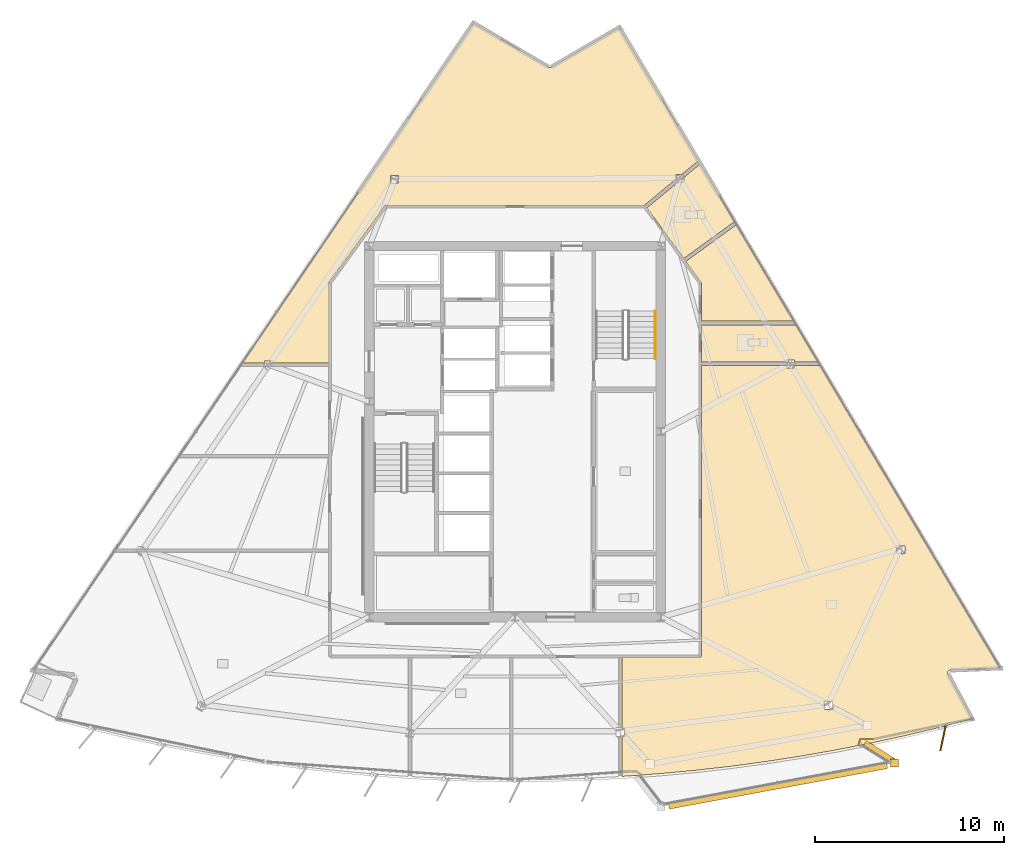
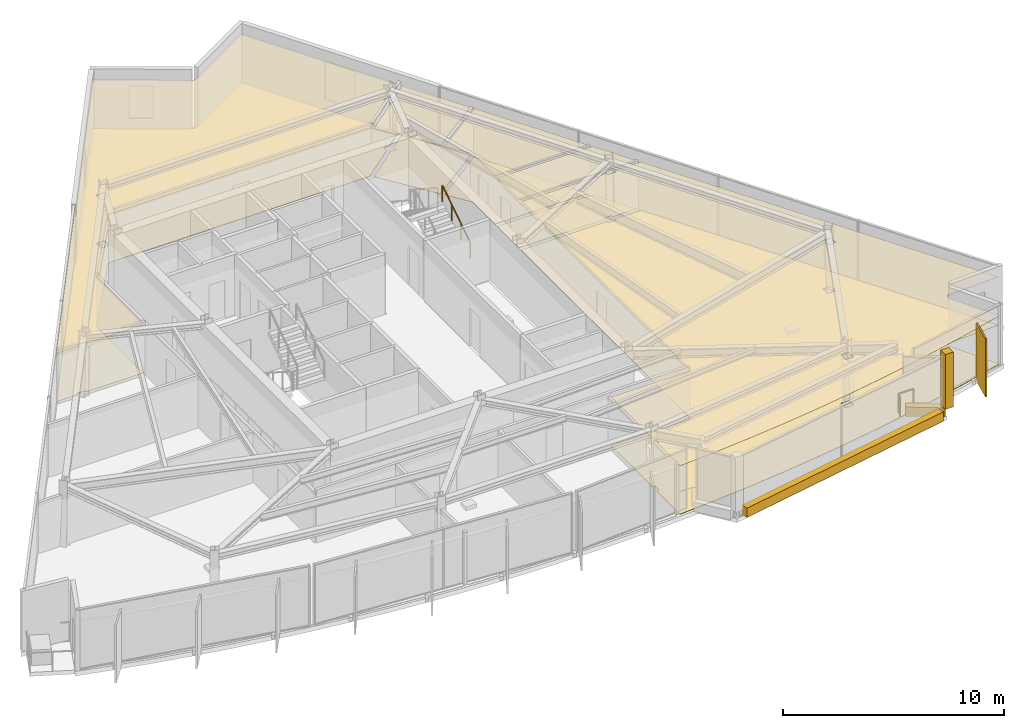
# One storey, part 12 of 13: 13 coverings, 2 railings, 1 shading device.
"""IFC4 building model written with IfcOpenShell, lengths in metres."""

from ifc_helpers import new_model, si_unit, direction, frame, origin, origin_2d, place, context, subcontext, project, spatial, polyline, rectangle, circle, outline, extrude, material, layer, layer_set, type_object, element, save


model = new_model("IFC4")

# Units and contexts
model_context = context("Model", 3, precision=1e-05, world=origin(), true_north=direction((0.0, 1.0)))
body_context = subcontext(model_context, "Body", "Model", "MODEL_VIEW")
ifc_project = project(units=[si_unit("LENGTHUNIT", "METRE"), si_unit("AREAUNIT", "SQUARE_METRE"), si_unit("VOLUMEUNIT", "CUBIC_METRE"), si_unit("PLANEANGLEUNIT", "RADIAN"), si_unit("MASSUNIT", "GRAM", prefix="KILO")], contexts=[model_context])

# Site, building, storey
site_placement = place(None, origin())
site = spatial("IfcSite", under=ifc_project, at=site_placement, CompositionType="ELEMENT")
building_placement = place(site_placement, origin())
building = spatial("IfcBuilding", under=site, at=building_placement, Name="Savorim Split Tower", CompositionType="ELEMENT")
storey_placement = place(building_placement, frame((0.0, 0.0, 216.300048828125)))
storey = spatial("IfcBuildingStorey", under=building, at=storey_placement, Name="L57", CompositionType="ELEMENT", Elevation=216.300048828125)

# Coverings
ifc_material_1 = material(Name="Mineral Fibre Acoustic Ceiling")
ifc_layer_1 = layer(ifc_material_1, 0.02490234375)
ifc_layer_set_1 = layer_set([ifc_layer_1], Name="COV-CEIL-25")
covering_type_1 = type_object("IfcCoveringType", Name="COV-CEIL-25", PredefinedType="CEILING", material=ifc_layer_set_1)
covering_1_placement = place(storey_placement, frame((0.0, 0.0, 2.669921875)))
element("IfcCovering", 1, at=covering_1_placement, inside=storey, type_object=covering_type_1, Name="L57 Community Laundry Room Acoustic Ceiling", PredefinedType="CEILING", context=body_context, shape_type="SweptSolid", body=[
    extrude(outline(polyline([(22.926513671875, -12.2060546875), (22.93798828125, -12.203857421875), (22.949462890625, -12.202880859375), (25.611083984375, -12.089599609375), (16.09765625, 3.909912109375), (16.09765625, 3.876708984375), (14.74951171875, 3.876708984375), (14.74951171875, 3.768310546875), (14.331298828125, 3.768310546875), (14.331298828125, 3.876708984375), (9.840087890625, 3.876708984375), (9.840087890625, -11.39990234375), (9.83935546875, -11.413818359375), (9.83740234375, -11.42724609375), (9.833984375, -11.440673828125), (9.829345703125, -11.45361328125), (9.823486328125, -11.466064453125), (9.81640625, -11.477783203125), (9.80810546875, -11.48876953125), (9.799072265625, -11.4990234375), (9.788818359375, -11.50830078125), (9.77783203125, -11.516357421875), (9.76611328125, -11.5234375), (9.753662109375, -11.529296875), (9.740478515625, -11.533935546875), (9.727294921875, -11.537353515625), (9.713623046875, -11.539306640625), (9.699951171875, -11.5400390625), (5.644775390625, -11.5400390625), (5.644775390625, -15.284912109375), (5.7587890625, -15.284912109375), (5.7587890625, -15.69189453125), (5.644775390625, -15.69189453125), (5.644775390625, -17.764404296875), (5.644775390625, -17.8095703125), (5.665771484375, -17.808349609375), (7.55078125, -17.673095703125), (9.4326171875, -17.49951171875), (11.310302734375, -17.287109375), (13.18359375, -17.03662109375), (15.051025390625, -16.74755859375), (16.912353515625, -16.420654296875), (18.7666015625, -16.055419921875), (20.61279296875, -15.652587890625), (22.450439453125, -15.2119140625), (24.132568359375, -14.772216796875), (22.848876953125, -12.37939453125), (22.84375, -12.368896484375), (22.83984375, -12.358154296875), (22.8369140625, -12.346923828125), (22.835205078125, -12.335693359375), (22.83447265625, -12.32421875), (22.8349609375, -12.3125), (22.83642578125, -12.301025390625), (22.839111328125, -12.289794921875), (22.8427734375, -12.27880859375), (22.847412109375, -12.268310546875), (22.853271484375, -12.25830078125), (22.85986328125, -12.248779296875), (22.867431640625, -12.240234375), (22.875732421875, -12.232177734375), (22.884765625, -12.22509765625), (22.89453125, -12.21875), (22.90478515625, -12.21337890625), (22.91552734375, -12.209228515625), (22.926513671875, -12.2060546875)]), holes=[polyline([(16.76806640625, -14.2783203125), (16.76806640625, -13.871337890625), (16.35009765625, -13.871337890625), (16.35009765625, -14.2783203125), (16.76806640625, -14.2783203125)]), polyline([(20.580810546875, -6.038818359375), (20.580810546875, -5.6318359375), (20.162841796875, -5.6318359375), (20.162841796875, -6.038818359375), (20.580810546875, -6.038818359375)])]), origin(), (0.0, 0.0, 1.0), 0.025146484375),
])
covering_2_placement = place(storey_placement, frame((0.0, 0.0, 2.669921875)))
element("IfcCovering", 2, at=covering_2_placement, inside=storey, type_object=covering_type_1, Name="L57 Shared Bathroom Acoustic Ceiling", PredefinedType="CEILING", context=body_context, shape_type="SweptSolid", body=[
    extrude(outline(polyline([(14.74951171875, 4.17529296875), (14.74951171875, 4.066650390625), (16.002685546875, 4.066650390625), (16.00439453125, 4.066650390625), (14.831787109375, 6.038330078125), (9.840087890625, 6.038330078125), (9.840087890625, 4.066650390625), (14.331298828125, 4.066650390625), (14.331298828125, 4.17529296875), (14.74951171875, 4.17529296875)])), origin(), (0.0, 0.0, 1.0), 0.025146484375),
])
covering_3_placement = place(storey_placement, frame((0.0, 0.0, 2.669921875)))
element("IfcCovering", 3, at=covering_3_placement, inside=storey, type_object=covering_type_1, Name="L57 Co-Living Bedroom Acoustic Ceiling", PredefinedType="CEILING", context=body_context, shape_type="SweptSolid", body=[
    extrude(outline(polyline([(9.8369140625, 8.22900390625), (9.839111328125, 8.214599609375), (9.840087890625, 8.199951171875), (9.840087890625, 6.228515625), (14.718994140625, 6.228515625), (11.688232421875, 11.3251953125), (9.01318359375, 9.385986328125), (9.813232421875, 8.2822265625), (9.8212890625, 8.27001953125), (9.827880859375, 8.2568359375), (9.833251953125, 8.2431640625), (9.8369140625, 8.22900390625)])), origin(), (0.0, 0.0, 1.0), 0.025146484375),
])
covering_4_placement = place(storey_placement, frame((0.0, 0.0, 2.669921875)))
element("IfcCovering", 4, at=covering_4_placement, inside=storey, type_object=covering_type_1, Name="L57 Shared Bathroom Acoustic Ceiling", PredefinedType="CEILING", context=body_context, shape_type="SweptSolid", body=[
    extrude(outline(polyline([(8.611328125, 13.5751953125), (6.96533203125, 12.218994140625), (6.96142578125, 12.2158203125), (8.901611328125, 9.539794921875), (11.5908203125, 11.4892578125), (9.7783203125, 14.537109375), (8.91796875, 13.827880859375), (8.91796875, 13.5751953125), (8.611328125, 13.5751953125)])), origin(), (0.0, 0.0, 1.0), 0.025146484375),
])
covering_5_placement = place(storey_placement, frame((0.0, 0.0, 2.669921875)))
element("IfcCovering", 5, at=covering_5_placement, inside=storey, type_object=covering_type_1, Name="L57 Co-Working Commons Acoustic Ceiling", PredefinedType="CEILING", context=body_context, shape_type="SweptSolid", body=[
    extrude(outline(polyline([(1.800537109375, 19.626708984375), (1.789794921875, 19.631103515625), (1.779541015625, 19.636474609375), (-2.197021484375, 21.9736328125), (-14.41162109375, 4.017822265625), (-13.240234375, 4.017822265625), (-13.240234375, 4.12646484375), (-12.822265625, 4.12646484375), (-12.822265625, 4.017822265625), (-9.840087890625, 4.017822265625), (-9.840087890625, 8.199951171875), (-9.839111328125, 8.214599609375), (-9.8369140625, 8.22900390625), (-9.833251953125, 8.2431640625), (-9.827880859375, 8.2568359375), (-9.8212890625, 8.27001953125), (-9.813232421875, 8.2822265625), (-6.913330078125, 12.2822265625), (-6.905029296875, 12.29248046875), (-6.89599609375, 12.302001953125), (-6.885986328125, 12.310546875), (-6.875, 12.318115234375), (-6.863525390625, 12.32470703125), (-6.8515625, 12.330078125), (-6.839111328125, 12.33447265625), (-6.826416015625, 12.33740234375), (-6.813232421875, 12.33935546875), (-6.800048828125, 12.340087890625), (6.800048828125, 12.340087890625), (6.812744140625, 12.33935546875), (8.5, 13.729736328125), (8.5, 13.982421875), (8.806396484375, 13.982421875), (9.6298828125, 14.660888671875), (9.68017578125, 14.702392578125), (5.499267578125, 21.7333984375), (1.90087890625, 19.63623046875), (1.890625, 19.631103515625), (1.8798828125, 19.626708984375), (1.868896484375, 19.623291015625), (1.857421875, 19.62109375), (1.845947265625, 19.6201171875), (1.83447265625, 19.6201171875), (1.822998046875, 19.621337890625), (1.8115234375, 19.62353515625), (1.800537109375, 19.626708984375)]), holes=[polyline([(-6.15087890625, 13.93359375), (-6.56884765625, 13.93359375), (-6.56884765625, 13.526611328125), (-6.15087890625, 13.526611328125), (-6.15087890625, 13.93359375)])]), origin(), (0.0, 0.0, 1.0), 0.025146484375),
])
ifc_material_2 = material(Name="Porcelain Stoneware Flooring", Category="masonry")
ifc_layer_2 = layer(ifc_material_2, 0.02001953125)
ifc_layer_set_2 = layer_set([ifc_layer_2], Name="COV-FLOR-20")
covering_type_2 = type_object("IfcCoveringType", Name="COV-FLOR-20", PredefinedType="FLOORING", material=ifc_layer_set_2)
covering_6_placement = place(storey_placement, origin())
element("IfcCovering", 6, at=covering_6_placement, inside=storey, type_object=covering_type_2, Name="L57 Community Laundry Room Porcelain Flooring", PredefinedType="FLOORING", context=body_context, shape_type="SweptSolid", body=[
    extrude(outline(polyline([(22.926513671875, -12.2060546875), (22.93798828125, -12.203857421875), (22.949462890625, -12.202880859375), (25.611083984375, -12.089599609375), (16.09765625, 3.909912109375), (16.09765625, 3.876708984375), (14.74951171875, 3.876708984375), (14.74951171875, 3.768310546875), (14.331298828125, 3.768310546875), (14.331298828125, 3.876708984375), (9.840087890625, 3.876708984375), (9.840087890625, -11.39990234375), (9.83935546875, -11.413818359375), (9.83740234375, -11.42724609375), (9.833984375, -11.440673828125), (9.829345703125, -11.45361328125), (9.823486328125, -11.466064453125), (9.81640625, -11.477783203125), (9.80810546875, -11.48876953125), (9.799072265625, -11.4990234375), (9.788818359375, -11.50830078125), (9.77783203125, -11.516357421875), (9.76611328125, -11.5234375), (9.753662109375, -11.529296875), (9.740478515625, -11.533935546875), (9.727294921875, -11.537353515625), (9.713623046875, -11.539306640625), (9.699951171875, -11.5400390625), (5.644775390625, -11.5400390625), (5.644775390625, -15.284912109375), (5.7587890625, -15.284912109375), (5.7587890625, -15.69189453125), (5.644775390625, -15.69189453125), (5.644775390625, -17.764404296875), (5.644775390625, -17.8095703125), (5.665771484375, -17.808349609375), (7.55078125, -17.673095703125), (9.4326171875, -17.49951171875), (11.310302734375, -17.287109375), (13.18359375, -17.03662109375), (15.051025390625, -16.74755859375), (16.912353515625, -16.420654296875), (18.7666015625, -16.055419921875), (20.61279296875, -15.652587890625), (22.450439453125, -15.2119140625), (24.132568359375, -14.772216796875), (22.848876953125, -12.37939453125), (22.84375, -12.368896484375), (22.83984375, -12.358154296875), (22.8369140625, -12.346923828125), (22.835205078125, -12.335693359375), (22.83447265625, -12.32421875), (22.8349609375, -12.3125), (22.83642578125, -12.301025390625), (22.839111328125, -12.289794921875), (22.8427734375, -12.27880859375), (22.847412109375, -12.268310546875), (22.853271484375, -12.25830078125), (22.85986328125, -12.248779296875), (22.867431640625, -12.240234375), (22.875732421875, -12.232177734375), (22.884765625, -12.22509765625), (22.89453125, -12.21875), (22.90478515625, -12.21337890625), (22.91552734375, -12.209228515625), (22.926513671875, -12.2060546875)]), holes=[polyline([(16.76806640625, -14.2783203125), (16.76806640625, -13.871337890625), (16.35009765625, -13.871337890625), (16.35009765625, -14.2783203125), (16.76806640625, -14.2783203125)]), polyline([(20.580810546875, -6.038818359375), (20.580810546875, -5.6318359375), (20.162841796875, -5.6318359375), (20.162841796875, -6.038818359375), (20.580810546875, -6.038818359375)])]), origin(), (0.0, 0.0, 1.0), 0.02001953125),
])
covering_7_placement = place(storey_placement, origin())
element("IfcCovering", 7, at=covering_7_placement, inside=storey, type_object=covering_type_2, Name="L57 Shared Bathroom Porcelain Flooring", PredefinedType="FLOORING", context=body_context, shape_type="SweptSolid", body=[
    extrude(outline(polyline([(14.74951171875, 4.17529296875), (14.74951171875, 4.066650390625), (16.002685546875, 4.066650390625), (16.00439453125, 4.066650390625), (14.831787109375, 6.038330078125), (9.840087890625, 6.038330078125), (9.840087890625, 4.066650390625), (14.331298828125, 4.066650390625), (14.331298828125, 4.17529296875), (14.74951171875, 4.17529296875)])), origin(), (0.0, 0.0, 1.0), 0.02001953125),
])
covering_8_placement = place(storey_placement, origin())
element("IfcCovering", 8, at=covering_8_placement, inside=storey, type_object=covering_type_2, Name="L57 Co-Living Bedroom Porcelain Flooring", PredefinedType="FLOORING", context=body_context, shape_type="SweptSolid", body=[
    extrude(outline(polyline([(9.8369140625, 8.22900390625), (9.839111328125, 8.214599609375), (9.840087890625, 8.199951171875), (9.840087890625, 6.228515625), (14.718994140625, 6.228515625), (11.688232421875, 11.3251953125), (9.01318359375, 9.385986328125), (9.813232421875, 8.2822265625), (9.8212890625, 8.27001953125), (9.827880859375, 8.2568359375), (9.833251953125, 8.2431640625), (9.8369140625, 8.22900390625)])), origin(), (0.0, 0.0, 1.0), 0.02001953125),
])
covering_9_placement = place(storey_placement, origin())
element("IfcCovering", 9, at=covering_9_placement, inside=storey, type_object=covering_type_2, Name="L57 Shared Bathroom Porcelain Flooring", PredefinedType="FLOORING", context=body_context, shape_type="SweptSolid", body=[
    extrude(outline(polyline([(8.611328125, 13.5751953125), (6.96533203125, 12.218994140625), (6.96142578125, 12.2158203125), (8.901611328125, 9.539794921875), (11.5908203125, 11.4892578125), (9.7783203125, 14.537109375), (8.91796875, 13.827880859375), (8.91796875, 13.5751953125), (8.611328125, 13.5751953125)])), origin(), (0.0, 0.0, 1.0), 0.02001953125),
])
covering_10_placement = place(storey_placement, origin())
element("IfcCovering", 10, at=covering_10_placement, inside=storey, type_object=covering_type_2, Name="L57 Co-Working Commons Porcelain Flooring", PredefinedType="FLOORING", context=body_context, shape_type="SweptSolid", body=[
    extrude(outline(polyline([(1.800537109375, 19.626708984375), (1.789794921875, 19.631103515625), (1.779541015625, 19.636474609375), (-2.197021484375, 21.9736328125), (-14.41162109375, 4.017822265625), (-13.240234375, 4.017822265625), (-13.240234375, 4.12646484375), (-12.822265625, 4.12646484375), (-12.822265625, 4.017822265625), (-9.840087890625, 4.017822265625), (-9.840087890625, 8.199951171875), (-9.839111328125, 8.214599609375), (-9.8369140625, 8.22900390625), (-9.833251953125, 8.2431640625), (-9.827880859375, 8.2568359375), (-9.8212890625, 8.27001953125), (-9.813232421875, 8.2822265625), (-6.913330078125, 12.2822265625), (-6.905029296875, 12.29248046875), (-6.89599609375, 12.302001953125), (-6.885986328125, 12.310546875), (-6.875, 12.318115234375), (-6.863525390625, 12.32470703125), (-6.8515625, 12.330078125), (-6.839111328125, 12.33447265625), (-6.826416015625, 12.33740234375), (-6.813232421875, 12.33935546875), (-6.800048828125, 12.340087890625), (6.800048828125, 12.340087890625), (6.812744140625, 12.33935546875), (8.5, 13.729736328125), (8.5, 13.982421875), (8.806396484375, 13.982421875), (9.6298828125, 14.660888671875), (9.68017578125, 14.702392578125), (5.499267578125, 21.7333984375), (1.90087890625, 19.63623046875), (1.890625, 19.631103515625), (1.8798828125, 19.626708984375), (1.868896484375, 19.623291015625), (1.857421875, 19.62109375), (1.845947265625, 19.6201171875), (1.83447265625, 19.6201171875), (1.822998046875, 19.621337890625), (1.8115234375, 19.62353515625), (1.800537109375, 19.626708984375)]), holes=[polyline([(-6.15087890625, 13.93359375), (-6.56884765625, 13.93359375), (-6.56884765625, 13.526611328125), (-6.15087890625, 13.526611328125), (-6.15087890625, 13.93359375)])]), origin(), (0.0, 0.0, 1.0), 0.02001953125),
])
ifc_material_3 = material(Name="White Porcelain Architectural Cladding")
ifc_layer_3 = layer(ifc_material_3, 0.139892578125)
ifc_layer_set_3 = layer_set([ifc_layer_3], Name="COV-FRM-WHITE")
covering_type_3 = type_object("IfcCoveringType", Name="COV-FRM-WHITE", PredefinedType="CLADDING", material=ifc_layer_set_3)
covering_11_placement = place(storey_placement, frame((0.0, 0.0, 0.010009765625)))
element("IfcCovering", 11, at=covering_11_placement, inside=storey, type_object=covering_type_3, Name="L57 Cantilevered Lounge White Lower Frame Band F", PredefinedType="CLADDING", context=body_context, shape_type="SweptSolid", body=[
    extrude(outline(polyline([(8.1484375, -19.539306640625), (19.672607421875, -17.395751953125), (19.610595703125, -17.061279296875), (8.08642578125, -19.205078125), (8.1484375, -19.539306640625)])), origin(), (0.0, 0.0, 1.0), 0.510009765625),
])
covering_12_placement = place(storey_placement, frame((0.0, 0.0, 0.010009765625)))
element("IfcCovering", 12, at=covering_12_placement, inside=storey, type_object=covering_type_3, Name="L57 Cantilevered Lounge White Lower Frame Band E", PredefinedType="CLADDING", context=body_context, shape_type="SweptSolid", body=[
    extrude(outline(polyline([(20.07470703125, -16.877197265625), (18.54833984375, -15.923095703125), (18.3681640625, -16.211181640625), (19.894287109375, -17.16552734375), (20.07470703125, -16.877197265625)])), origin(), (0.0, 0.0, 1.0), 0.510009765625),
])
covering_13_placement = place(storey_placement, frame((0.0, 0.0, 0.5400390625)))
element("IfcCovering", 13, at=covering_13_placement, inside=storey, type_object=covering_type_3, Name="L57 Cantilevered Lounge White Frame Corner Post 2", PredefinedType="CLADDING", context=body_context, shape_type="SweptSolid", body=[
    extrude(outline(polyline([(19.81591796875, -17.316162109375), (20.23583984375, -17.316162109375), (20.23583984375, -16.896240234375), (19.81591796875, -16.896240234375), (19.81591796875, -17.316162109375)])), origin(), (0.0, 0.0, 1.0), 3.0498046875),
])

# Railings
ifc_material_4 = material(Name="Galvanised Painted Steel Balustrade", Category="steel")
railing_type_1 = type_object("IfcRailingType", Name="RLG-BAL-1100", PredefinedType="BALUSTRADE", material=ifc_material_4)
railing_1_placement = place(storey_placement, frame((18.14306640625, -16.109619140625, 0.0)))
element("IfcRailing", 14, at=railing_1_placement, inside=storey, type_object=railing_type_1, Name="L57 Cantilevered Lounge East Edge Closure Guard", PredefinedType="BALUSTRADE", context=body_context, shape_type="SweptSolid", body=[
    extrude(circle(Radius=0.02392578125, at=origin_2d()), frame((0.0, 0.0, 1.076171875), z_axis=(0.293671910568, 0.955906276234, 0.0), x_axis=(-0.955906276234, 0.293671910568, 0.0)), (0.0, 0.0, 1.0), 0.2900390625),
    extrude(circle(Radius=0.02392578125, at=origin_2d()), frame((0.085205078125, 0.27734375, 1.076171875), z_axis=(1.0, 0.0, 0.0), x_axis=(0.0, 1.0, 0.0)), (0.0, 0.0, 1.0), 0.780029296875),
    extrude(circle(Radius=0.02099609375, at=origin_2d()), origin(), (0.0, 0.0, 1.0), 1.052001953125),
    extrude(circle(Radius=0.02099609375, at=origin_2d()), frame((0.085205078125, 0.27734375, 0.0)), (0.0, 0.0, 1.0), 1.052001953125),
    extrude(circle(Radius=0.02099609375, at=origin_2d()), frame((0.865234375, 0.27734375, 0.0)), (0.0, 0.0, 1.0), 1.052001953125),
])
railing_type_2 = type_object("IfcRailingType", Name="RLG-HR-900", PredefinedType="HANDRAIL", material=ifc_material_4)
railing_2_placement = place(storey_placement, frame((7.39990234375, 4.25, 0.179931640625)))
element("IfcRailing", 15, at=railing_2_placement, inside=storey, type_object=railing_type_2, Name="L57 ST-2 stair handrail 1", PredefinedType="HANDRAIL", context=body_context, shape_type="SweptSolid", body=[
    extrude(circle(Radius=0.02392578125, at=origin_2d()), frame((0.0, 0.0, 0.8759765625), z_axis=(0.0, 0.841162588446, 0.540782303519), x_axis=(-1.0, 0.0, 0.0)), (0.0, 0.0, 1.0), 2.995849609375),
    extrude(circle(Radius=0.02099609375, at=origin_2d()), origin(), (0.0, 0.0, 1.0), 0.851806640625),
    extrude(circle(Radius=0.02099609375, at=origin_2d()), frame((0.0, 0.840087890625, 0.5400390625)), (0.0, 0.0, 1.0), 0.851806640625),
    extrude(circle(Radius=0.02099609375, at=origin_2d()), frame((0.0, 1.679931640625, 1.080078125)), (0.0, 0.0, 1.0), 0.851806640625),
    extrude(circle(Radius=0.02099609375, at=origin_2d()), frame((0.0, 2.52001953125, 1.6201171875)), (0.0, 0.0, 1.0), 0.851806640625),
])

# Shading device
ifc_material_5 = material(Name="Terracotta Ceramic-Coated Aluminium Fin", Category="masonry")
shading_device_type = type_object("IfcShadingDeviceType", Name="SHD-FIN-1360", PredefinedType="USERDEFINED", material=ifc_material_5)
shading_device_placement = place(storey_placement, frame((22.595458984375, -15.7900390625, -0.2001953125), z_axis=(0.0, 0.0, 1.0), x_axis=(-0.206721626106, -0.978399800337, 0.0)))
element("IfcShadingDevice", 16, at=shading_device_placement, inside=storey, type_object=shading_device_type, Name="L57 Sawtooth Shading Fin 13", ObjectType="FIN", PredefinedType="USERDEFINED", context=body_context, shape_type="SweptSolid", body=[
    extrude(rectangle(XDim=1.360107421875, YDim=0.080078125, at=origin_2d()), origin(), (0.0, 0.0, 1.0), 3.199951171875),
])

save(model, "model.ifc")
